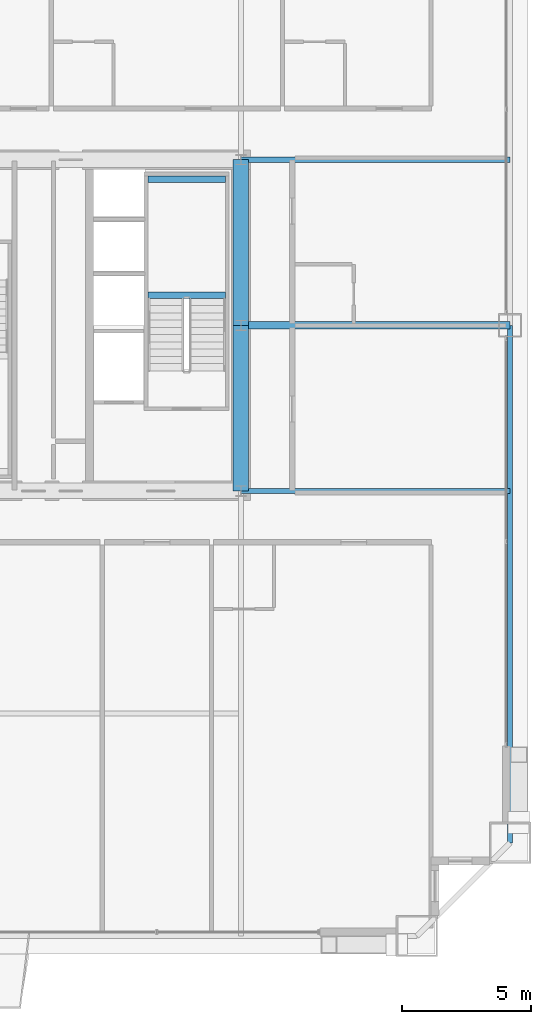
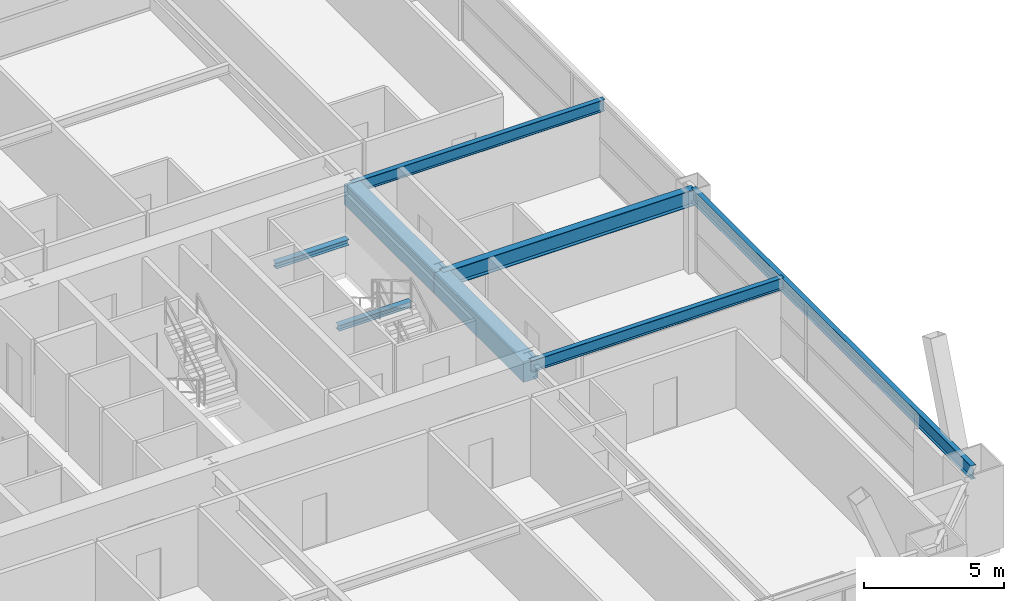
# One storey, part 18 of 42: 8 beams.
"""IFC4 building model written with IfcOpenShell, lengths in metres."""

from ifc_helpers import new_model, si_unit, direction, frame, origin, origin_2d, place, context, subcontext, project, spatial, rectangle, i_section, extrude, source, transform, mapped, material, material_profile, profile_set, type_object, element, save


model = new_model("IFC4")

# Units and contexts
model_context = context("Model", 3, precision=1e-05, world=origin(), true_north=direction((0.0, 1.0)))
body_context = subcontext(model_context, "Body", "Model", "MODEL_VIEW")
ifc_project = project(units=[si_unit("LENGTHUNIT", "METRE"), si_unit("AREAUNIT", "SQUARE_METRE"), si_unit("VOLUMEUNIT", "CUBIC_METRE"), si_unit("PLANEANGLEUNIT", "RADIAN"), si_unit("MASSUNIT", "GRAM", prefix="KILO"), si_unit("THERMODYNAMICTEMPERATUREUNIT", "KELVIN"), si_unit("POWERUNIT", "WATT")], contexts=[model_context])

# Site, building, storey
site_placement = place(None, origin())
site = spatial("IfcSite", under=ifc_project, at=site_placement, CompositionType="ELEMENT")
building_placement = place(site_placement, origin())
building = spatial("IfcBuilding", under=site, at=building_placement, Name="Yuzanri Waterfront Tower", CompositionType="ELEMENT")
storey_placement = place(building_placement, frame((0.0, 0.0, 145.199951171875)))
storey = spatial("IfcBuildingStorey", under=building, at=storey_placement, Name="L38", CompositionType="ELEMENT", Elevation=145.199951171875)

# Beams
ifc_material_1 = material(Name="Concrete C60", Category="concrete")
ifc_material_profile_1 = material_profile(ifc_material_1, rectangle(XDim=0.60009765625, YDim=0.89990234375, at=origin_2d()), Name="RC 600x900")
ifc_profile_set_1 = profile_set([ifc_material_profile_1], Name="Concrete C60")
beam_type_1 = type_object("IfcBeamType", Name="Core Coupling Lintel Concrete C60 600x900", PredefinedType="LINTEL", material=ifc_profile_set_1)
shared_shape_1 = source(origin(), body_context, "Body", "SweptSolid", [
    extrude(rectangle(XDim=0.60009765625, YDim=0.89990234375, at=origin_2d()), origin(), (0.0, 0.0, 1.0), 6.400146484375),
])
beam_1_placement = place(storey_placement, frame((50.199951171875, 19.39990234375, 2.929931640625), z_axis=(0.0, 1.0, 0.0), x_axis=(-1.0, 0.0, 0.0)))
element("IfcBeam", 1, at=beam_1_placement, inside=storey, type_object=beam_type_1, Name="L38 Core Tie Beam CE1", PredefinedType="LINTEL", context=body_context, shape_type="MappedRepresentation", body=[
    mapped(shared_shape_1, transform((0.0, 0.0, 0.0), scale=1.0)),
])
shared_shape_2 = source(origin(), body_context, "Body", "SweptSolid", [
    extrude(rectangle(XDim=0.60009765625, YDim=0.89990234375, at=origin_2d()), origin(), (0.0, 0.0, 1.0), 6.39990234375),
])
beam_2_placement = place(storey_placement, frame((50.199951171875, 25.800048828125, 2.929931640625), z_axis=(0.0, 1.0, 0.0), x_axis=(-1.0, 0.0, 0.0)))
element("IfcBeam", 2, at=beam_2_placement, inside=storey, type_object=beam_type_1, Name="L38 Core Tie Beam CE2", PredefinedType="LINTEL", context=body_context, shape_type="MappedRepresentation", body=[
    mapped(shared_shape_2, transform((0.0, 0.0, 0.0), scale=1.0)),
])
ifc_material_2 = material(Name="Steel Q355B", Category="steel")
ifc_material_profile_2 = material_profile(ifc_material_2, i_section(OverallWidth=0.199951171875, OverallDepth=0.60009765625, WebThickness=0.010986328125, FlangeThickness=0.01708984375, at=origin_2d()), Name="HN 600x200x11x17")
ifc_profile_set_2 = profile_set([ifc_material_profile_2], Name="Steel Q355B")
beam_type_2 = type_object("IfcBeamType", Name="Perimeter Spandrel Q355B HN 600x200", PredefinedType="SPANDREL", material=ifc_profile_set_2)
shared_shape_3 = source(origin(), body_context, "Body", "SweptSolid", [
    extrude(i_section(OverallWidth=0.199951171875, OverallDepth=0.60009765625, WebThickness=0.010986328125, FlangeThickness=0.01708984375, at=origin_2d()), origin(), (0.0, 0.0, 1.0), 20.0),
])
beam_3_placement = place(storey_placement, frame((60.60009765625, 5.800048828125, 3.080078125), z_axis=(0.0, 1.0, 0.0), x_axis=(-1.0, 0.0, 0.0)))
element("IfcBeam", 3, at=beam_3_placement, inside=storey, type_object=beam_type_2, Name="L38 Perimeter Spandrel E1-E2", PredefinedType="SPANDREL", context=body_context, shape_type="MappedRepresentation", body=[
    mapped(shared_shape_3, transform((0.0, 0.0, 0.0), scale=1.0)),
])
ifc_material_3 = material(Name="Steel Q355B", Category="steel")
ifc_material_profile_3 = material_profile(ifc_material_3, i_section(OverallWidth=0.300048828125, OverallDepth=0.699951171875, WebThickness=0.012939453125, FlangeThickness=0.02392578125, at=origin_2d()), Name="HN 700x300x13x24")
ifc_profile_set_3 = profile_set([ifc_material_profile_3], Name="Steel Q355B")
beam_type_3 = type_object("IfcBeamType", Name="Primary Floor Girder Q355B HN 700x300", PredefinedType="BEAM", material=ifc_profile_set_3)
shared_shape_4 = source(origin(), body_context, "Body", "SweptSolid", [
    extrude(i_section(OverallWidth=0.300048828125, OverallDepth=0.699951171875, WebThickness=0.012939453125, FlangeThickness=0.02392578125, at=origin_2d()), origin(), (0.0, 0.0, 1.0), 10.400146484375),
])
beam_4_placement = place(storey_placement, frame((50.199951171875, 25.800048828125, 3.030029296875), z_axis=(1.0, 0.0, 0.0), x_axis=(0.0, 1.0, 0.0)))
element("IfcBeam", 4, at=beam_4_placement, inside=storey, type_object=beam_type_3, Name="L38 East Grid Girder", PredefinedType="BEAM", context=body_context, shape_type="MappedRepresentation", body=[
    mapped(shared_shape_4, transform((0.0, 0.0, 0.0), scale=1.0)),
])
ifc_material_4 = material(Name="Steel Q355B", Category="steel")
ifc_material_profile_4 = material_profile(ifc_material_4, i_section(OverallWidth=0.199951171875, OverallDepth=0.5, WebThickness=0.010009765625, FlangeThickness=0.01611328125, at=origin_2d()), Name="HN 500x200x10x16")
ifc_profile_set_4 = profile_set([ifc_material_profile_4], Name="Steel Q355B")
beam_type_4 = type_object("IfcBeamType", Name="Secondary Floor Beam Q355B HN 500x200", PredefinedType="BEAM", material=ifc_profile_set_4)
shared_shape_5 = source(origin(), body_context, "Body", "SweptSolid", [
    extrude(i_section(OverallWidth=0.199951171875, OverallDepth=0.5, WebThickness=0.010009765625, FlangeThickness=0.01611328125, at=origin_2d()), origin(), (0.0, 0.0, 1.0), 10.400146484375),
])
for number, where, z_axis, x_axis, name in (
    (5, (50.199951171875, 19.39990234375, 3.130126953125), (1.0, 0.0, 0.0), (0.0, 1.0, 0.0), "L38 East-South Core Line Beam"),
    (6, (50.199951171875, 32.199951171875, 3.130126953125), (1.0, 0.0, 0.0), (0.0, 1.0, 0.0), "L38 East-North Core Line Beam"),
):
    element("IfcBeam", number, at=place(storey_placement, frame(where, z_axis=z_axis, x_axis=x_axis)), inside=storey, type_object=beam_type_4, Name=name, PredefinedType="BEAM", context=body_context, shape_type="MappedRepresentation", body=[
        mapped(shared_shape_5, transform((0.0, 0.0, 0.0), scale=1.0)),
    ])
ifc_material_5 = material(Name="Steel Q355B", Category="steel")
ifc_material_profile_5 = material_profile(ifc_material_5, i_section(OverallWidth=0.25, OverallDepth=0.25, WebThickness=0.009033203125, FlangeThickness=0.013916015625, at=origin_2d()), Name="HW 250x250x9x14")
ifc_profile_set_5 = profile_set([ifc_material_profile_5], Name="Steel Q355B")
beam_type_5 = type_object("IfcBeamType", Name="Stair Landing Support Beam Q355B HW 250x250", PredefinedType="BEAM", material=ifc_profile_set_5)
shared_shape_6 = source(origin(), body_context, "Body", "SweptSolid", [
    extrude(i_section(OverallWidth=0.25, OverallDepth=0.25, WebThickness=0.009033203125, FlangeThickness=0.013916015625, at=origin_2d()), origin(), (0.0, 0.0, 1.0), 3.0),
])
for number, where, z_axis, x_axis, name in (
    (7, (46.60009765625, 26.969970703125, 1.47509765625), (1.0, 0.0, 0.0), (0.0, 1.0, 0.0), "L38 Stair Landing Support Beam ST-02-L38-L1-1"),
    (8, (46.60009765625, 31.449951171875, 1.47509765625), (1.0, 0.0, 0.0), (0.0, 1.0, 0.0), "L38 Stair Landing Support Beam ST-02-L38-L1-2"),
):
    element("IfcBeam", number, at=place(storey_placement, frame(where, z_axis=z_axis, x_axis=x_axis)), inside=storey, type_object=beam_type_5, Name=name, PredefinedType="BEAM", context=body_context, shape_type="MappedRepresentation", body=[
        mapped(shared_shape_6, transform((0.0, 0.0, 0.0), scale=1.0)),
    ])

save(model, "model.ifc")
